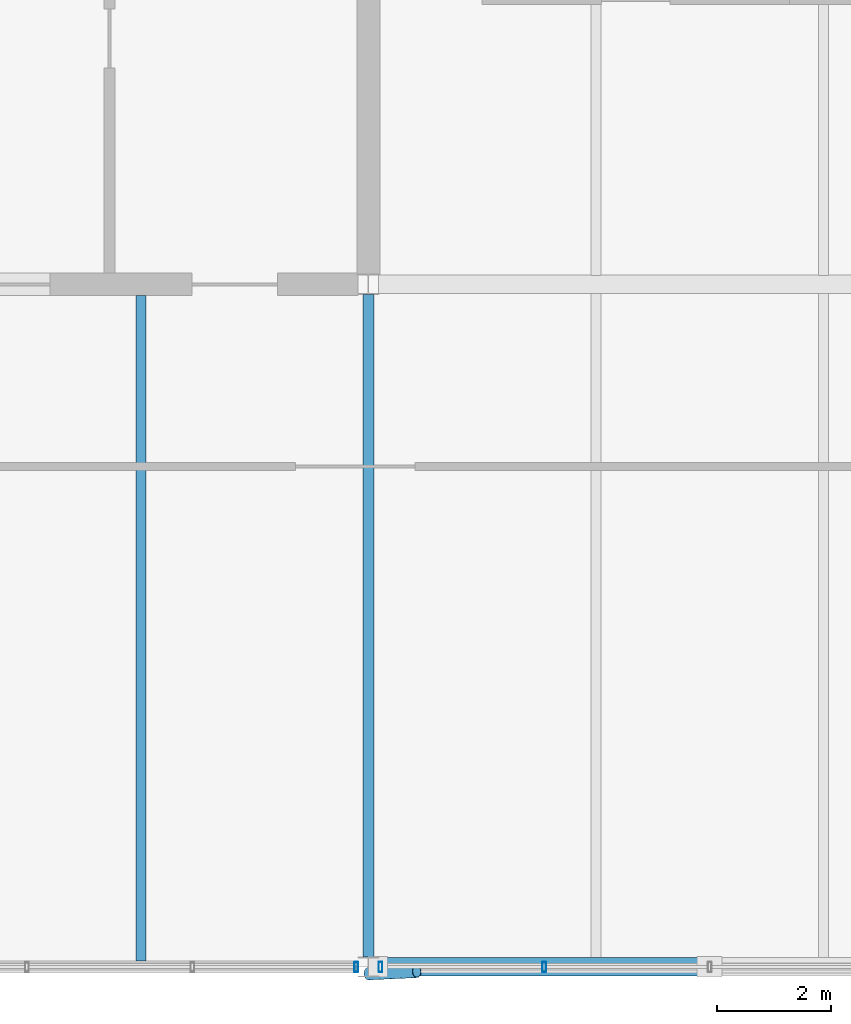
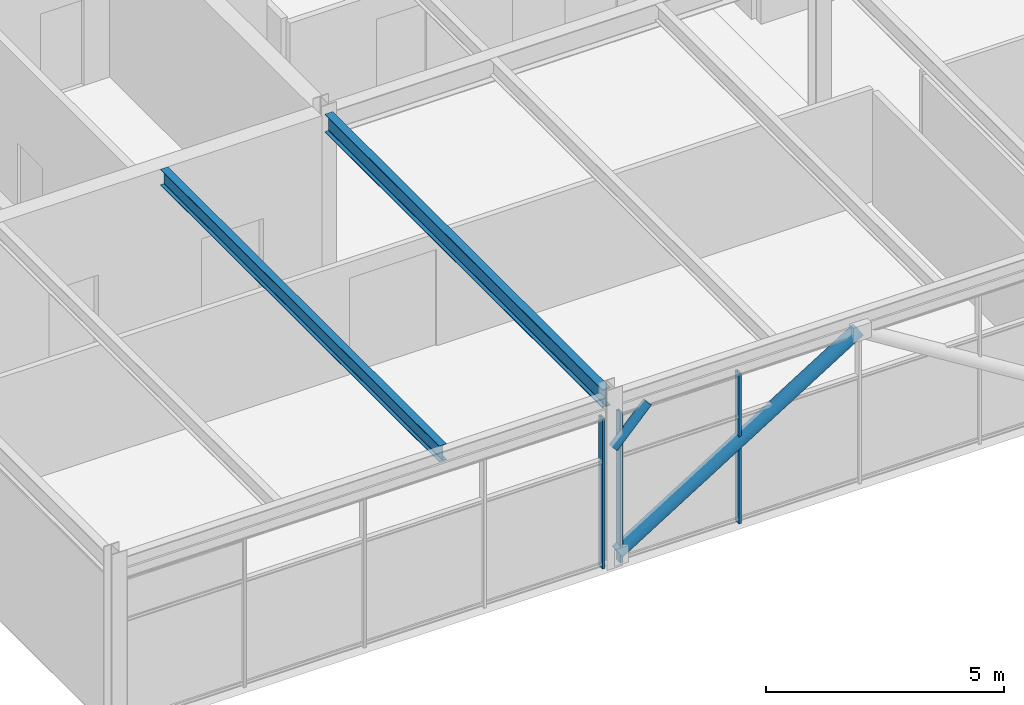
# One storey, part 5 of 28: 5 members, 2 beams, 2 elements without a shape of their own.
"""IFC4 building model written with IfcOpenShell, lengths in metres."""

from ifc_helpers import new_model, si_unit, direction, frame, origin, origin_2d, place, context, subcontext, project, spatial, hollow_rectangle, hollow_circle, i_section, extrude, material, material_profile, profile_set, type_object, element, aggregate, save


model = new_model("IFC4")

# Units and contexts
model_context = context("Model", 3, precision=1e-05, world=origin(), true_north=direction((0.0, 1.0)))
body_context = subcontext(model_context, "Body", "Model", "MODEL_VIEW")
ifc_project = project(units=[si_unit("LENGTHUNIT", "METRE"), si_unit("AREAUNIT", "SQUARE_METRE"), si_unit("VOLUMEUNIT", "CUBIC_METRE"), si_unit("PLANEANGLEUNIT", "RADIAN"), si_unit("MASSUNIT", "GRAM", prefix="KILO")], contexts=[model_context])

# Site, building, storey
site_placement = place(None, origin())
site = spatial("IfcSite", under=ifc_project, at=site_placement, CompositionType="ELEMENT")
building_placement = place(site_placement, origin())
building = spatial("IfcBuilding", under=site, at=building_placement, Name="Girod Span Mobility Hub", CompositionType="ELEMENT")
storey_placement = place(building_placement, frame((0.0, 0.0, 69.60009765625)))
storey = spatial("IfcBuildingStorey", under=building, at=storey_placement, Name="L17", CompositionType="ELEMENT", Elevation=69.60009765625)

# Beams
ifc_material_1 = material(Name="Steel A992 Grade 50", Category="steel")
ifc_material_profile_1 = material_profile(ifc_material_1, i_section(OverallWidth=0.178955078125, OverallDepth=0.409912109375, WebThickness=0.0087890625, FlangeThickness=0.014404296875, FilletRadius=0.012939453125, at=origin_2d()), Name="W16X45")
ifc_profile_set_1 = profile_set([ifc_material_profile_1], Name="Steel A992 Grade 50")
beam_type_1 = type_object("IfcBeamType", Name="BM-STL-W16X45", PredefinedType="BEAM", material=ifc_profile_set_1)
beam_1_placement = place(storey_placement, frame((56.0, 45.10302734375, 4.1748046875), z_axis=(0.0, 1.0, 0.0), x_axis=(-1.0, 0.0, 0.0)))
element("IfcBeam", 1, at=beam_1_placement, inside=storey, type_object=beam_type_1, Name="Composite Floorbeam 5/D-2 L17", PredefinedType="BEAM", context=body_context, shape_type="SweptSolid", body=[
    extrude(i_section(OverallWidth=0.178955078125, OverallDepth=0.409912109375, WebThickness=0.0087890625, FlangeThickness=0.014404296875, FilletRadius=0.012939453125, at=origin_2d()), origin(), (0.0, 0.0, 1.0), 11.699951171875),
])
ifc_material_2 = material(Name="Steel A992 Grade 50", Category="steel")
ifc_material_profile_2 = material_profile(ifc_material_2, i_section(OverallWidth=0.19189453125, OverallDepth=0.462890625, WebThickness=0.010498046875, FlangeThickness=0.017578125, FilletRadius=0.013916015625, at=origin_2d()), Name="W18X60")
ifc_profile_set_2 = profile_set([ifc_material_profile_2], Name="Steel A992 Grade 50")
beam_type_2 = type_object("IfcBeamType", Name="BM-STL-W18X60", PredefinedType="BEAM", material=ifc_profile_set_2)
beam_2_placement = place(storey_placement, frame((60.0, 45.175048828125, 4.1484375), z_axis=(0.0, 1.0, 0.0), x_axis=(-1.0, 0.0, 0.0)))
element("IfcBeam", 2, at=beam_2_placement, inside=storey, type_object=beam_type_2, Name="Tie Girder 6/D-E L17", PredefinedType="BEAM", context=body_context, shape_type="SweptSolid", body=[
    extrude(i_section(OverallWidth=0.19189453125, OverallDepth=0.462890625, WebThickness=0.010498046875, FlangeThickness=0.017578125, FilletRadius=0.013916015625, at=origin_2d()), origin(), (0.0, 0.0, 1.0), 11.64990234375),
])

# Curtain wall, member
ifc_material_3 = material(Name="Thermally Broken Anodised Aluminium", Category="aluminium")
curtain_wall_type = type_object("IfcCurtainWallType", Name="CW-1164X384", PredefinedType="USERDEFINED", material=ifc_material_3)
curtain_wall_1_placement = place(storey_placement, origin())
curtain_wall_1 = element("IfcCurtainWall", 3, at=curtain_wall_1_placement, inside=storey, type_object=curtain_wall_type, Name="Unitised Curtain Wall CW-L17-S05 L17", ObjectType="UNITISED CURTAIN WALL", PredefinedType="USERDEFINED")
ifc_material_4 = material(Name="Thermally Broken Anodised Aluminium", Category="aluminium")
ifc_material_profile_3 = material_profile(ifc_material_4, hollow_rectangle(XDim=0.179931640625, YDim=0.06494140625, WallThickness=0.00390625, InnerFilletRadius=0.00390625, OuterFilletRadius=0.008056640625, at=origin_2d()), Name="CW-ML-65X180")
ifc_profile_set_3 = profile_set([ifc_material_profile_3], Name="Thermally Broken Anodised Aluminium")
member_type_1 = type_object("IfcMemberType", Name="CWM-ML-2", PredefinedType="MULLION", material=ifc_profile_set_3)
member_1_placement = place(storey_placement, frame((59.785400390625, 45.0, 0.0), z_axis=(0.0, 0.0, 1.0), x_axis=(0.0, 1.0, 0.0)))
member_1 = element("IfcMember", 4, at=member_1_placement, type_object=member_type_1, Name="Curtain Wall Mullion CW-L17-S05-M4", PredefinedType="MULLION", context=body_context, shape_type="SweptSolid", body=[
    extrude(hollow_rectangle(XDim=0.179931640625, YDim=0.06494140625, WallThickness=0.00390625, InnerFilletRadius=0.00390625, OuterFilletRadius=0.008056640625, at=origin_2d()), origin(), (0.0, 0.0, 1.0), 3.8359375),
])
aggregate(curtain_wall_1, [member_1])

# Curtain wall, members
curtain_wall_2_placement = place(storey_placement, origin())
curtain_wall_2 = element("IfcCurtainWall", 5, at=curtain_wall_2_placement, inside=storey, type_object=curtain_wall_type, Name="Unitised Curtain Wall CW-L17-S06 L17", ObjectType="UNITISED CURTAIN WALL", PredefinedType="USERDEFINED")
member_2_placement = place(storey_placement, frame((60.214599609375, 45.0, 0.0), z_axis=(0.0, 0.0, 1.0), x_axis=(0.0, 1.0, 0.0)))
member_2 = element("IfcMember", 6, at=member_2_placement, type_object=member_type_1, Name="Curtain Wall Mullion CW-L17-S06-M0", PredefinedType="MULLION", context=body_context, shape_type="SweptSolid", body=[
    extrude(hollow_rectangle(XDim=0.179931640625, YDim=0.06494140625, WallThickness=0.00390625, InnerFilletRadius=0.00390625, OuterFilletRadius=0.008056640625, at=origin_2d()), origin(), (0.0, 0.0, 1.0), 3.8359375),
])
member_3_placement = place(storey_placement, frame((63.09130859375, 45.0, 0.0), z_axis=(0.0, 0.0, 1.0), x_axis=(0.0, 1.0, 0.0)))
member_3 = element("IfcMember", 7, at=member_3_placement, type_object=member_type_1, Name="Curtain Wall Mullion CW-L17-S06-M1", PredefinedType="MULLION", context=body_context, shape_type="SweptSolid", body=[
    extrude(hollow_rectangle(XDim=0.179931640625, YDim=0.06494140625, WallThickness=0.00390625, InnerFilletRadius=0.00390625, OuterFilletRadius=0.008056640625, at=origin_2d()), origin(), (0.0, 0.0, 1.0), 3.8359375),
])
aggregate(curtain_wall_2, [member_2, member_3])

# Members
ifc_material_5 = material(Name="Steel HSS A500 Grade C", Category="steel")
ifc_material_profile_4 = material_profile(ifc_material_5, hollow_circle(Radius=0.162109375, WallThickness=0.01171875, at=origin_2d()), Name="HSS324X12.7")
ifc_profile_set_4 = profile_set([ifc_material_profile_4], Name="Steel HSS A500 Grade C")
member_type_2 = type_object("IfcMemberType", Name="MB-BR-HSS324", PredefinedType="BRACE", material=ifc_profile_set_4)
member_4_placement = place(storey_placement, frame((60.16455078125, 45.0, 0.25), z_axis=(0.848074041941, 0.0, 0.529877740036), x_axis=(0.0, 1.0, 0.0)))
element("IfcMember", 8, at=member_4_placement, inside=storey, type_object=member_type_2, Name="Upper Diagrid Brace 6/D-L L17", PredefinedType="BRACE", context=body_context, shape_type="SweptSolid", body=[
    extrude(hollow_circle(Radius=0.162109375, WallThickness=0.01171875, at=origin_2d()), origin(), (0.0, 0.0, 1.0), 6.880859375),
])
ifc_material_6 = material(Name="Steel HSS A500 Grade C", Category="steel")
ifc_material_profile_5 = material_profile(ifc_material_6, hollow_circle(Radius=0.109619140625, WallThickness=0.0087890625, at=origin_2d()), Name="HSS219X9.5")
ifc_profile_set_5 = profile_set([ifc_material_profile_5], Name="Steel HSS A500 Grade C")
member_type_3 = type_object("IfcMemberType", Name="MB-ST-HSS219", PredefinedType="STRUT", material=ifc_profile_set_5)
member_5_placement = place(storey_placement, frame((60.0, 44.8798828125, 3.0498046875), z_axis=(0.706714954442, 0.033285827837, 0.706714954442), x_axis=(-0.047047213483, 0.998892666758, 0.0)))
element("IfcMember", 9, at=member_5_placement, inside=storey, type_object=member_type_3, Name="Solar Shading Knee Strut 6 L17", PredefinedType="STRUT", context=body_context, shape_type="SweptSolid", body=[
    extrude(hollow_circle(Radius=0.109619140625, WallThickness=0.0087890625, at=origin_2d()), origin(), (0.0, 0.0, 1.0), 1.202880859375),
])

save(model, "model.ifc")
